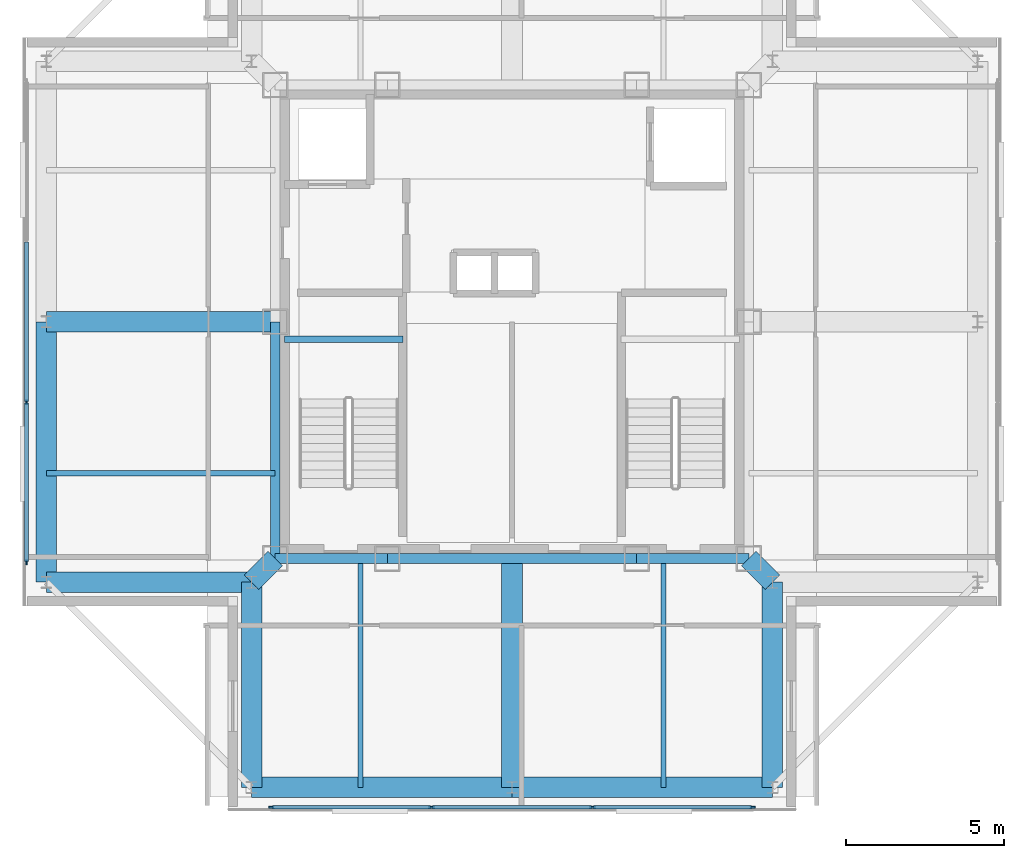
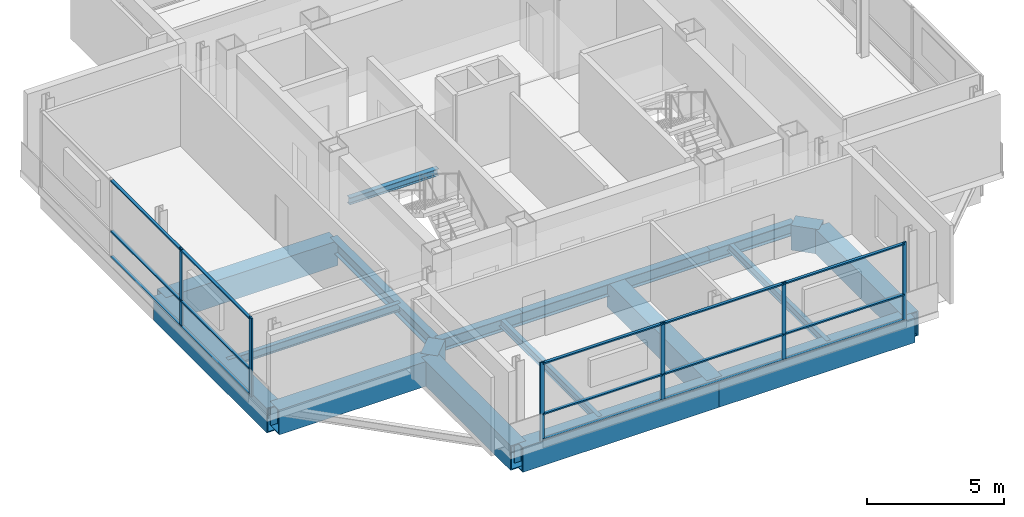
# One storey, part 2 of 10: 21 members, 18 beams, 2 elements without a shape of their own.
"""IFC4 building model written with IfcOpenShell, lengths in metres."""

from ifc_helpers import new_model, si_unit, direction, frame, origin, origin_2d, place, context, subcontext, project, spatial, rectangle, hollow_rectangle, i_section, extrude, material, layer, layer_set, material_profile, profile_set, type_object, element, aggregate, save


model = new_model("IFC4")

# Units and contexts
model_context = context("Model", 3, precision=1e-05, world=origin(), true_north=direction((0.0, 1.0)))
body_context = subcontext(model_context, "Body", "Model", "MODEL_VIEW")
ifc_project = project(units=[si_unit("LENGTHUNIT", "METRE"), si_unit("AREAUNIT", "SQUARE_METRE"), si_unit("VOLUMEUNIT", "CUBIC_METRE"), si_unit("PLANEANGLEUNIT", "RADIAN"), si_unit("MASSUNIT", "GRAM", prefix="KILO")], contexts=[model_context])

# Site, building, storey
site_placement = place(None, origin())
site = spatial("IfcSite", under=ifc_project, at=site_placement, CompositionType="ELEMENT")
building_placement = place(site_placement, origin())
building = spatial("IfcBuilding", under=site, at=building_placement, Name="Trevonay Congress Spire", CompositionType="ELEMENT")
storey_placement = place(building_placement, frame((0.0, 0.0, 319.800048828125)))
storey = spatial("IfcBuildingStorey", under=building, at=storey_placement, Name="L84", CompositionType="ELEMENT", Elevation=319.800048828125)

# Beams
ifc_material_1 = material(Name="Steel ASTM A572 Grade 50", Category="steel")
ifc_material_profile_1 = material_profile(ifc_material_1, i_section(OverallWidth=0.31201171875, OverallDepth=0.54296875, WebThickness=0.0126953125, FlangeThickness=0.020263671875, FilletRadius=0.014892578125, at=origin_2d()), Name="W530x150")
ifc_profile_set_1 = profile_set([ifc_material_profile_1], Name="Steel ASTM A572 Grade 50")
beam_type_1 = type_object("IfcBeamType", Name="BM-GIRD-W530X150", PredefinedType="BEAM", material=ifc_profile_set_1)
beam_1_placement = place(storey_placement, frame((-7.5, -7.5, -0.551513671875), z_axis=(1.0, 0.0, 0.0), x_axis=(0.0, 1.0, 0.0)))
element("IfcBeam", 1, at=beam_1_placement, inside=storey, type_object=beam_type_1, Name="L84 structural beam BM-L84-CR-S1", PredefinedType="BEAM", context=body_context, shape_type="SweptSolid", body=[
    extrude(i_section(OverallWidth=0.31201171875, OverallDepth=0.54296875, WebThickness=0.0126953125, FlangeThickness=0.020263671875, FilletRadius=0.014892578125, at=origin_2d()), origin(), (0.0, 0.0, 1.0), 3.550048828125),
])
beam_2_placement = place(storey_placement, frame((-3.949951171875, -7.5, -0.551513671875), z_axis=(1.0, 0.0, 0.0), x_axis=(0.0, 1.0, 0.0)))
element("IfcBeam", 2, at=beam_2_placement, inside=storey, type_object=beam_type_1, Name="L84 structural beam BM-L84-CR-S2", PredefinedType="BEAM", context=body_context, shape_type="SweptSolid", body=[
    extrude(i_section(OverallWidth=0.31201171875, OverallDepth=0.54296875, WebThickness=0.0126953125, FlangeThickness=0.020263671875, FilletRadius=0.014892578125, at=origin_2d()), origin(), (0.0, 0.0, 1.0), 7.89990234375),
])
beam_3_placement = place(storey_placement, frame((3.949951171875, -7.5, -0.551513671875), z_axis=(1.0, 0.0, 0.0), x_axis=(0.0, 1.0, 0.0)))
element("IfcBeam", 3, at=beam_3_placement, inside=storey, type_object=beam_type_1, Name="L84 structural beam BM-L84-CR-S3", PredefinedType="BEAM", context=body_context, shape_type="SweptSolid", body=[
    extrude(i_section(OverallWidth=0.31201171875, OverallDepth=0.54296875, WebThickness=0.0126953125, FlangeThickness=0.020263671875, FilletRadius=0.014892578125, at=origin_2d()), origin(), (0.0, 0.0, 1.0), 3.550048828125),
])
beam_4_placement = place(storey_placement, frame((-7.5, -7.5, -0.551513671875), z_axis=(0.0, 1.0, 0.0), x_axis=(-1.0, 0.0, 0.0)))
element("IfcBeam", 4, at=beam_4_placement, inside=storey, type_object=beam_type_1, Name="L84 structural beam BM-L84-CR-W1", PredefinedType="BEAM", context=body_context, shape_type="SweptSolid", body=[
    extrude(i_section(OverallWidth=0.31201171875, OverallDepth=0.54296875, WebThickness=0.0126953125, FlangeThickness=0.020263671875, FilletRadius=0.014892578125, at=origin_2d()), origin(), (0.0, 0.0, 1.0), 7.5),
])
ifc_material_profile_2 = material_profile(ifc_material_1, hollow_rectangle(XDim=0.64990234375, YDim=1.10009765625, WallThickness=0.044921875, at=origin_2d()), Name="BOX 1100x650x45")
ifc_profile_set_2 = profile_set([ifc_material_profile_2], Name="Steel ASTM A572 Grade 50")
beam_type_2 = type_object("IfcBeamType", Name="BM-RING-BOX1100", PredefinedType="BEAM", material=ifc_profile_set_2)
for number, where, z_axis, x_axis, name in (
    (5, (-8.25, -14.75, -0.830078125), (1.0, 0.0, 0.0), (0.0, 1.0, 0.0), "L84 structural beam BM-L84-PS1"),
    (6, (-14.75, -8.25, -0.830078125), (0.0, 1.0, 0.0), (-1.0, 0.0, 0.0), "L84 structural beam BM-L84-PW1"),
    (7, (0.0, -14.75, -0.830078125), (1.0, 0.0, 0.0), (0.0, 1.0, 0.0), "L84 structural beam BM-L84-PS2"),
):
    element("IfcBeam", number, at=place(storey_placement, frame(where, z_axis=z_axis, x_axis=x_axis)), inside=storey, type_object=beam_type_2, Name=name, PredefinedType="BEAM", context=body_context, shape_type="SweptSolid", body=[
        extrude(hollow_rectangle(XDim=0.64990234375, YDim=1.10009765625, WallThickness=0.044921875, at=origin_2d()), origin(), (0.0, 0.0, 1.0), 8.25),
    ])
for number, where, z_axis, x_axis, name in (
    (8, (-8.25, -14.75, -0.830078125), (0.0, 1.0, 0.0), (-1.0, 0.0, 0.0), "L84 structural beam BM-L84-N1SW"),
    (9, (-14.75, -8.25, -0.830078125), (1.0, 0.0, 0.0), (0.0, 1.0, 0.0), "L84 structural beam BM-L84-N2SW"),
    (10, (8.25, -14.75, -0.830078125), (0.0, 1.0, 0.0), (-1.0, 0.0, 0.0), "L84 structural beam BM-L84-N1SE"),
):
    element("IfcBeam", number, at=place(storey_placement, frame(where, z_axis=z_axis, x_axis=x_axis)), inside=storey, type_object=beam_type_2, Name=name, PredefinedType="BEAM", context=body_context, shape_type="SweptSolid", body=[
        extrude(hollow_rectangle(XDim=0.64990234375, YDim=1.10009765625, WallThickness=0.044921875, at=origin_2d()), origin(), (0.0, 0.0, 1.0), 6.5),
    ])
ifc_material_profile_3 = material_profile(ifc_material_1, hollow_rectangle(XDim=0.64990234375, YDim=1.10009765625, WallThickness=0.044921875, at=origin_2d()), Name="BOX 1100x650x45")
ifc_profile_set_3 = profile_set([ifc_material_profile_3], Name="Steel ASTM A572 Grade 50")
beam_type_3 = type_object("IfcBeamType", Name="BM-XFER-BOX1100", PredefinedType="BEAM", material=ifc_profile_set_3)
for number, where, z_axis, x_axis, name in (
    (11, (-7.5, -7.5, -0.830078125), (-0.707106781187, -0.707106781187, 0.0), (0.707106781187, -0.707106781187, 0.0), "L84 structural beam BM-L84-CDSW"),
    (12, (7.5, -7.5, -0.830078125), (0.707106781187, -0.707106781187, 0.0), (0.707106781187, 0.707106781187, 0.0), "L84 structural beam BM-L84-CDSE"),
):
    element("IfcBeam", number, at=place(storey_placement, frame(where, z_axis=z_axis, x_axis=x_axis)), inside=storey, type_object=beam_type_3, Name=name, PredefinedType="BEAM", context=body_context, shape_type="SweptSolid", body=[
        extrude(hollow_rectangle(XDim=0.64990234375, YDim=1.10009765625, WallThickness=0.044921875, at=origin_2d()), origin(), (0.0, 0.0, 1.0), 1.060546875),
    ])
for number, where, z_axis, x_axis, name in (
    (13, (0.0, -7.5, -0.830078125), (0.0, -1.0, 0.0), (1.0, 0.0, 0.0), "L84 structural beam BM-L84-GC-S"),
    (14, (-7.5, 0.0, -0.830078125), (-1.0, 0.0, 0.0), (0.0, -1.0, 0.0), "L84 structural beam BM-L84-GC-W"),
):
    element("IfcBeam", number, at=place(storey_placement, frame(where, z_axis=z_axis, x_axis=x_axis)), inside=storey, type_object=beam_type_3, Name=name, PredefinedType="BEAM", context=body_context, shape_type="SweptSolid", body=[
        extrude(hollow_rectangle(XDim=0.64990234375, YDim=1.10009765625, WallThickness=0.044921875, at=origin_2d()), origin(), (0.0, 0.0, 1.0), 7.25),
    ])

# Curtain wall, members
ifc_material_2 = material(Name="Pale Anodised Aluminium EN AW-6063-T6", Category="aluminium")
ifc_layer = layer(ifc_material_2, 0.159912109375, Name="Pale Anodised Aluminium EN AW-6063-T6")
ifc_layer_set = layer_set([ifc_layer], Name="Pale Anodised Aluminium EN AW-6063-T6")
curtain_wall_type = type_object("IfcCurtainWallType", Name="CW-SYS06-CROWN-PALE-METAL", PredefinedType="NOTDEFINED", material=ifc_layer_set)
curtain_wall_1_placement = place(storey_placement, origin())
curtain_wall_1 = element("IfcCurtainWall", 15, at=curtain_wall_1_placement, inside=storey, type_object=curtain_wall_type, Name="L84 S unitised curtain wall", PredefinedType="NOTDEFINED")
ifc_material_profile_4 = material_profile(ifc_material_2, rectangle(XDim=0.06005859375, YDim=0.159912109375, at=origin_2d()), Name="CW-MULLION-160-ALUMINIUM")
ifc_profile_set_4 = profile_set([ifc_material_profile_4], Name="Pale Anodised Aluminium EN AW-6063-T6")
member_type_1 = type_object("IfcMemberType", Name="CW-MULLION-160-ALUMINIUM", PredefinedType="MULLION", material=ifc_profile_set_4)
member_1_placement = place(storey_placement, frame((-7.6201171875, -15.3798828125, 0.0), z_axis=(0.0, 0.0, 1.0), x_axis=(0.0, 1.0, 0.0)))
member_1 = element("IfcMember", 16, at=member_1_placement, type_object=member_type_1, Name="CW06 mullion 1", PredefinedType="MULLION", context=body_context, shape_type="SweptSolid", body=[
    extrude(rectangle(XDim=0.06005859375, YDim=0.159912109375, at=origin_2d()), origin(), (0.0, 0.0, 1.0), 3.5),
])
member_2_placement = place(storey_placement, frame((-2.550048828125, -15.3798828125, 0.0), z_axis=(0.0, 0.0, 1.0), x_axis=(0.0, 1.0, 0.0)))
member_2 = element("IfcMember", 17, at=member_2_placement, type_object=member_type_1, Name="CW06 mullion 2", PredefinedType="MULLION", context=body_context, shape_type="SweptSolid", body=[
    extrude(rectangle(XDim=0.06005859375, YDim=0.159912109375, at=origin_2d()), origin(), (0.0, 0.0, 1.0), 3.5),
])
member_3_placement = place(storey_placement, frame((2.550048828125, -15.3798828125, 0.0), z_axis=(0.0, 0.0, 1.0), x_axis=(0.0, 1.0, 0.0)))
member_3 = element("IfcMember", 18, at=member_3_placement, type_object=member_type_1, Name="CW06 mullion 3", PredefinedType="MULLION", context=body_context, shape_type="SweptSolid", body=[
    extrude(rectangle(XDim=0.06005859375, YDim=0.159912109375, at=origin_2d()), origin(), (0.0, 0.0, 1.0), 3.5),
])
member_4_placement = place(storey_placement, frame((7.6201171875, -15.3798828125, 0.0), z_axis=(0.0, 0.0, 1.0), x_axis=(0.0, 1.0, 0.0)))
member_4 = element("IfcMember", 19, at=member_4_placement, type_object=member_type_1, Name="CW06 mullion 4", PredefinedType="MULLION", context=body_context, shape_type="SweptSolid", body=[
    extrude(rectangle(XDim=0.06005859375, YDim=0.159912109375, at=origin_2d()), origin(), (0.0, 0.0, 1.0), 3.5),
])

curtain_wall_2_placement = place(storey_placement, origin())
curtain_wall_2 = element("IfcCurtainWall", 20, at=curtain_wall_2_placement, inside=storey, type_object=curtain_wall_type, Name="L84 W unitised curtain wall", PredefinedType="NOTDEFINED")
member_5_placement = place(storey_placement, frame((-15.3798828125, -7.6201171875, 0.0), z_axis=(0.0, 0.0, 1.0), x_axis=(-1.0, 0.0, 0.0)))
member_5 = element("IfcMember", 21, at=member_5_placement, type_object=member_type_1, Name="CW06 mullion 1", PredefinedType="MULLION", context=body_context, shape_type="SweptSolid", body=[
    extrude(rectangle(XDim=0.06005859375, YDim=0.159912109375, at=origin_2d()), origin(), (0.0, 0.0, 1.0), 3.5),
])
member_6_placement = place(storey_placement, frame((-15.3798828125, -2.550048828125, 0.0), z_axis=(0.0, 0.0, 1.0), x_axis=(-1.0, 0.0, 0.0)))
member_6 = element("IfcMember", 22, at=member_6_placement, type_object=member_type_1, Name="CW06 mullion 2", PredefinedType="MULLION", context=body_context, shape_type="SweptSolid", body=[
    extrude(rectangle(XDim=0.06005859375, YDim=0.159912109375, at=origin_2d()), origin(), (0.0, 0.0, 1.0), 3.5),
])

# Member
ifc_material_profile_5 = material_profile(ifc_material_2, rectangle(XDim=0.1201171875, YDim=0.06005859375, at=origin_2d()), Name="CW-TRANSOM-120-ALUMINIUM")
ifc_profile_set_5 = profile_set([ifc_material_profile_5], Name="Pale Anodised Aluminium EN AW-6063-T6")
member_type_2 = type_object("IfcMemberType", Name="CW-TRANSOM-120-ALUMINIUM", PredefinedType="USERDEFINED", material=ifc_profile_set_5)
member_7_placement = place(storey_placement, frame((-7.590087890625, -15.3798828125, 0.06005859375), z_axis=(1.0, 0.0, 0.0), x_axis=(0.0, 1.0, 0.0)))
member_7 = element("IfcMember", 23, at=member_7_placement, type_object=member_type_2, Name="CW06 transom 1.1", ObjectType="TRANSOM", PredefinedType="USERDEFINED", context=body_context, shape_type="SweptSolid", body=[
    extrude(rectangle(XDim=0.1201171875, YDim=0.06005859375, at=origin_2d()), origin(), (0.0, 0.0, 1.0), 5.010009765625),
])

member_8_placement = place(storey_placement, frame((-7.590087890625, -15.3798828125, 1.18994140625), z_axis=(1.0, 0.0, 0.0), x_axis=(0.0, 1.0, 0.0)))
member_8 = element("IfcMember", 24, at=member_8_placement, type_object=member_type_2, Name="CW06 transom 1.2", ObjectType="TRANSOM", PredefinedType="USERDEFINED", context=body_context, shape_type="SweptSolid", body=[
    extrude(rectangle(XDim=0.1201171875, YDim=0.06005859375, at=origin_2d()), origin(), (0.0, 0.0, 1.0), 5.010009765625),
])

member_9_placement = place(storey_placement, frame((-7.590087890625, -15.3798828125, 3.43994140625), z_axis=(1.0, 0.0, 0.0), x_axis=(0.0, 1.0, 0.0)))
member_9 = element("IfcMember", 25, at=member_9_placement, type_object=member_type_2, Name="CW06 transom 1.3", ObjectType="TRANSOM", PredefinedType="USERDEFINED", context=body_context, shape_type="SweptSolid", body=[
    extrude(rectangle(XDim=0.1201171875, YDim=0.06005859375, at=origin_2d()), origin(), (0.0, 0.0, 1.0), 5.010009765625),
])

member_10_placement = place(storey_placement, frame((-2.52001953125, -15.3798828125, 0.06005859375), z_axis=(1.0, 0.0, 0.0), x_axis=(0.0, 1.0, 0.0)))
member_10 = element("IfcMember", 26, at=member_10_placement, type_object=member_type_2, Name="CW06 transom 2.1", ObjectType="TRANSOM", PredefinedType="USERDEFINED", context=body_context, shape_type="SweptSolid", body=[
    extrude(rectangle(XDim=0.1201171875, YDim=0.06005859375, at=origin_2d()), origin(), (0.0, 0.0, 1.0), 5.0400390625),
])

member_11_placement = place(storey_placement, frame((-2.52001953125, -15.3798828125, 1.18994140625), z_axis=(1.0, 0.0, 0.0), x_axis=(0.0, 1.0, 0.0)))
member_11 = element("IfcMember", 27, at=member_11_placement, type_object=member_type_2, Name="CW06 transom 2.2", ObjectType="TRANSOM", PredefinedType="USERDEFINED", context=body_context, shape_type="SweptSolid", body=[
    extrude(rectangle(XDim=0.1201171875, YDim=0.06005859375, at=origin_2d()), origin(), (0.0, 0.0, 1.0), 5.0400390625),
])

member_12_placement = place(storey_placement, frame((-2.52001953125, -15.3798828125, 3.43994140625), z_axis=(1.0, 0.0, 0.0), x_axis=(0.0, 1.0, 0.0)))
member_12 = element("IfcMember", 28, at=member_12_placement, type_object=member_type_2, Name="CW06 transom 2.3", ObjectType="TRANSOM", PredefinedType="USERDEFINED", context=body_context, shape_type="SweptSolid", body=[
    extrude(rectangle(XDim=0.1201171875, YDim=0.06005859375, at=origin_2d()), origin(), (0.0, 0.0, 1.0), 5.0400390625),
])

member_13_placement = place(storey_placement, frame((2.580078125, -15.3798828125, 0.06005859375), z_axis=(1.0, 0.0, 0.0), x_axis=(0.0, 1.0, 0.0)))
member_13 = element("IfcMember", 29, at=member_13_placement, type_object=member_type_2, Name="CW06 transom 3.1", ObjectType="TRANSOM", PredefinedType="USERDEFINED", context=body_context, shape_type="SweptSolid", body=[
    extrude(rectangle(XDim=0.1201171875, YDim=0.06005859375, at=origin_2d()), origin(), (0.0, 0.0, 1.0), 5.010009765625),
])

member_14_placement = place(storey_placement, frame((2.580078125, -15.3798828125, 1.18994140625), z_axis=(1.0, 0.0, 0.0), x_axis=(0.0, 1.0, 0.0)))
member_14 = element("IfcMember", 30, at=member_14_placement, type_object=member_type_2, Name="CW06 transom 3.2", ObjectType="TRANSOM", PredefinedType="USERDEFINED", context=body_context, shape_type="SweptSolid", body=[
    extrude(rectangle(XDim=0.1201171875, YDim=0.06005859375, at=origin_2d()), origin(), (0.0, 0.0, 1.0), 5.010009765625),
])

member_15_placement = place(storey_placement, frame((2.580078125, -15.3798828125, 3.43994140625), z_axis=(1.0, 0.0, 0.0), x_axis=(0.0, 1.0, 0.0)))
member_15 = element("IfcMember", 31, at=member_15_placement, type_object=member_type_2, Name="CW06 transom 3.3", ObjectType="TRANSOM", PredefinedType="USERDEFINED", context=body_context, shape_type="SweptSolid", body=[
    extrude(rectangle(XDim=0.1201171875, YDim=0.06005859375, at=origin_2d()), origin(), (0.0, 0.0, 1.0), 5.010009765625),
])

aggregate(curtain_wall_1, [member_1, member_2, member_3, member_4, member_7, member_8, member_9, member_10, member_11, member_12, member_13, member_14, member_15])

member_16_placement = place(storey_placement, frame((-15.3798828125, -7.590087890625, 0.06005859375), z_axis=(0.0, 1.0, 0.0), x_axis=(-1.0, 0.0, 0.0)))
member_16 = element("IfcMember", 32, at=member_16_placement, type_object=member_type_2, Name="CW06 transom 1.1", ObjectType="TRANSOM", PredefinedType="USERDEFINED", context=body_context, shape_type="SweptSolid", body=[
    extrude(rectangle(XDim=0.1201171875, YDim=0.06005859375, at=origin_2d()), origin(), (0.0, 0.0, 1.0), 5.010009765625),
])

member_17_placement = place(storey_placement, frame((-15.3798828125, -7.590087890625, 1.18994140625), z_axis=(0.0, 1.0, 0.0), x_axis=(-1.0, 0.0, 0.0)))
member_17 = element("IfcMember", 33, at=member_17_placement, type_object=member_type_2, Name="CW06 transom 1.2", ObjectType="TRANSOM", PredefinedType="USERDEFINED", context=body_context, shape_type="SweptSolid", body=[
    extrude(rectangle(XDim=0.1201171875, YDim=0.06005859375, at=origin_2d()), origin(), (0.0, 0.0, 1.0), 5.010009765625),
])

member_18_placement = place(storey_placement, frame((-15.3798828125, -7.590087890625, 3.43994140625), z_axis=(0.0, 1.0, 0.0), x_axis=(-1.0, 0.0, 0.0)))
member_18 = element("IfcMember", 34, at=member_18_placement, type_object=member_type_2, Name="CW06 transom 1.3", ObjectType="TRANSOM", PredefinedType="USERDEFINED", context=body_context, shape_type="SweptSolid", body=[
    extrude(rectangle(XDim=0.1201171875, YDim=0.06005859375, at=origin_2d()), origin(), (0.0, 0.0, 1.0), 5.010009765625),
])

member_19_placement = place(storey_placement, frame((-15.3798828125, -2.52001953125, 0.06005859375), z_axis=(0.0, 1.0, 0.0), x_axis=(-1.0, 0.0, 0.0)))
member_19 = element("IfcMember", 35, at=member_19_placement, type_object=member_type_2, Name="CW06 transom 2.1", ObjectType="TRANSOM", PredefinedType="USERDEFINED", context=body_context, shape_type="SweptSolid", body=[
    extrude(rectangle(XDim=0.1201171875, YDim=0.06005859375, at=origin_2d()), origin(), (0.0, 0.0, 1.0), 5.0400390625),
])

member_20_placement = place(storey_placement, frame((-15.3798828125, -2.52001953125, 1.18994140625), z_axis=(0.0, 1.0, 0.0), x_axis=(-1.0, 0.0, 0.0)))
member_20 = element("IfcMember", 36, at=member_20_placement, type_object=member_type_2, Name="CW06 transom 2.2", ObjectType="TRANSOM", PredefinedType="USERDEFINED", context=body_context, shape_type="SweptSolid", body=[
    extrude(rectangle(XDim=0.1201171875, YDim=0.06005859375, at=origin_2d()), origin(), (0.0, 0.0, 1.0), 5.0400390625),
])

member_21_placement = place(storey_placement, frame((-15.3798828125, -2.52001953125, 3.43994140625), z_axis=(0.0, 1.0, 0.0), x_axis=(-1.0, 0.0, 0.0)))
member_21 = element("IfcMember", 37, at=member_21_placement, type_object=member_type_2, Name="CW06 transom 2.3", ObjectType="TRANSOM", PredefinedType="USERDEFINED", context=body_context, shape_type="SweptSolid", body=[
    extrude(rectangle(XDim=0.1201171875, YDim=0.06005859375, at=origin_2d()), origin(), (0.0, 0.0, 1.0), 5.0400390625),
])

aggregate(curtain_wall_2, [member_5, member_6, member_16, member_17, member_18, member_19, member_20, member_21])

# Beams
ifc_material_profile_6 = material_profile(ifc_material_1, i_section(OverallWidth=0.172119140625, OverallDepth=0.35791015625, WebThickness=0.0078125, FlangeThickness=0.01318359375, FilletRadius=0.011962890625, at=origin_2d()), Name="W360x57.8")
ifc_profile_set_6 = profile_set([ifc_material_profile_6], Name="Steel ASTM A572 Grade 50")
beam_type_4 = type_object("IfcBeamType", Name="JS-COMP-W360X57", PredefinedType="JOIST", material=ifc_profile_set_6)
for number, where, z_axis, x_axis, name in (
    (38, (-4.800048828125, -14.75, -0.458984375), (0.0, 1.0, 0.0), (-1.0, 0.0, 0.0), "L84 structural beam JS-L84-NS-S1"),
    (39, (-14.75, -4.800048828125, -0.458984375), (1.0, 0.0, 0.0), (0.0, 1.0, 0.0), "L84 structural beam JS-L84-EW-W1"),
    (40, (4.800048828125, -14.75, -0.458984375), (0.0, 1.0, 0.0), (-1.0, 0.0, 0.0), "L84 structural beam JS-L84-NS-S3"),
):
    element("IfcBeam", number, at=place(storey_placement, frame(where, z_axis=z_axis, x_axis=x_axis)), inside=storey, type_object=beam_type_4, Name=name, PredefinedType="JOIST", context=body_context, shape_type="SweptSolid", body=[
        extrude(i_section(OverallWidth=0.172119140625, OverallDepth=0.35791015625, WebThickness=0.0078125, FlangeThickness=0.01318359375, FilletRadius=0.011962890625, at=origin_2d()), origin(), (0.0, 0.0, 1.0), 7.25),
    ])
ifc_material_profile_7 = material_profile(ifc_material_1, i_section(OverallWidth=0.2041015625, OverallDepth=0.305908203125, WebThickness=0.008544921875, FlangeThickness=0.0146484375, FilletRadius=0.010986328125, at=origin_2d()), Name="W310x67")
ifc_profile_set_7 = profile_set([ifc_material_profile_7], Name="Steel ASTM A572 Grade 50")
beam_type_5 = type_object("IfcBeamType", Name="LN-CORE-W310X67", PredefinedType="LINTEL", material=ifc_profile_set_7)
beam_5_placement = place(storey_placement, frame((-7.199951171875, -0.550048828125, 1.546875), z_axis=(1.0, 0.0, 0.0), x_axis=(0.0, 1.0, 0.0)))
element("IfcBeam", 41, at=beam_5_placement, inside=storey, type_object=beam_type_5, Name="L84 structural beam BM-L84-HL-ST1", PredefinedType="LINTEL", context=body_context, shape_type="SweptSolid", body=[
    extrude(i_section(OverallWidth=0.2041015625, OverallDepth=0.305908203125, WebThickness=0.008544921875, FlangeThickness=0.0146484375, FilletRadius=0.010986328125, at=origin_2d()), origin(), (0.0, 0.0, 1.0), 3.75),
])

save(model, "model.ifc")
